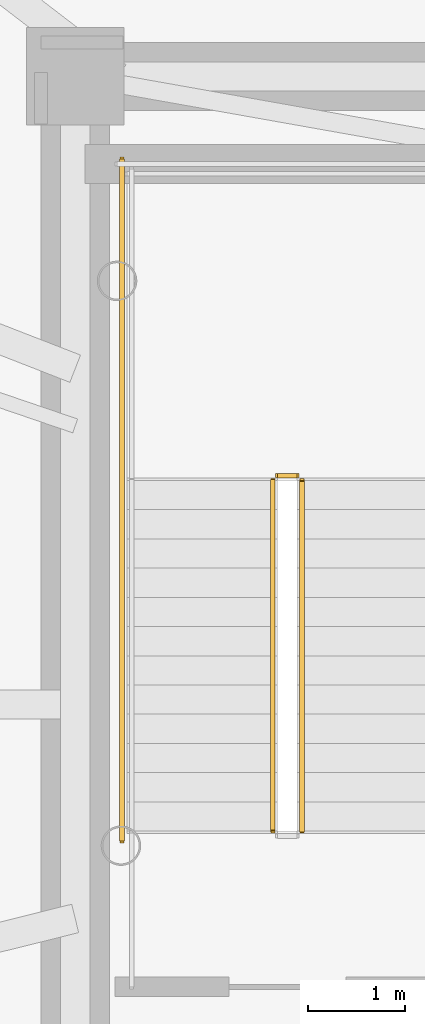
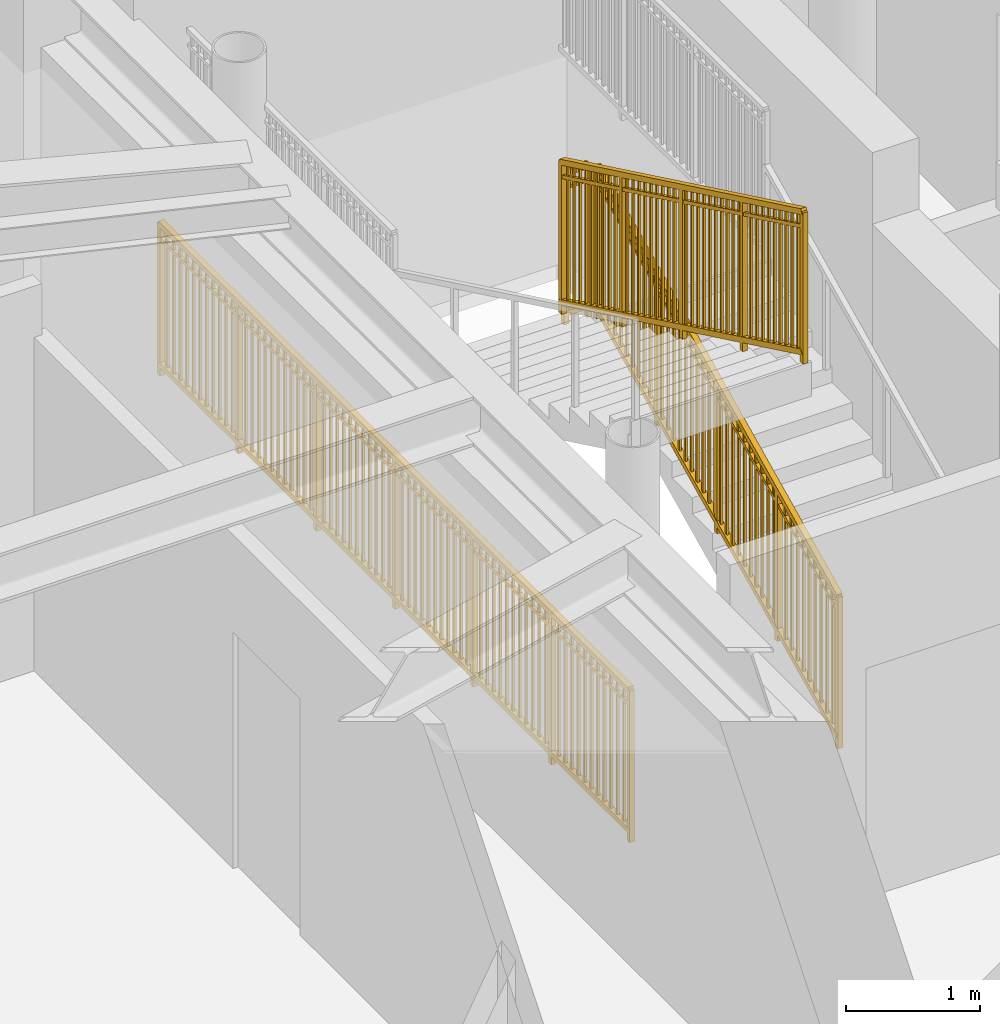
# One storey, part 14 of 18: 4 railings.
"""IFC4 building model written with IfcOpenShell, lengths in metres."""

from ifc_helpers import new_model, si_unit, direction, frame, origin, origin_2d, place, context, subcontext, project, spatial, rectangle, extrude, source, transform, mapped, material, type_object, element, save


model = new_model("IFC4")

# Units and contexts
model_context = context("Model", 3, precision=1e-05, world=origin(), true_north=direction((0.0, 1.0)))
body_context = subcontext(model_context, "Body", "Model", "MODEL_VIEW")
ifc_project = project(units=[si_unit("LENGTHUNIT", "METRE"), si_unit("AREAUNIT", "SQUARE_METRE"), si_unit("VOLUMEUNIT", "CUBIC_METRE"), si_unit("PLANEANGLEUNIT", "RADIAN"), si_unit("MASSUNIT", "GRAM", prefix="KILO")], contexts=[model_context])

# Site, building, storey
site_placement = place(None, origin())
site = spatial("IfcSite", under=ifc_project, at=site_placement, CompositionType="ELEMENT")
building_placement = place(site_placement, origin())
building = spatial("IfcBuilding", under=site, at=building_placement, Name="Linh Dai School and Residence Tower", CompositionType="ELEMENT")
storey_placement = place(building_placement, frame((0.0, 0.0, 291.75)))
storey = spatial("IfcBuildingStorey", under=building, at=storey_placement, Name="L72", CompositionType="ELEMENT", Elevation=291.75)

# Railings
ifc_material = material(Name="Structural Steel S355JR", Category="steel")
railing_type = type_object("IfcRailingType", Name="RL-ST-GUARD-1400", PredefinedType="GUARDRAIL", material=ifc_material)
shared_shape_1 = source(origin(), body_context, "Body", "SweptSolid", [
    extrude(rectangle(XDim=0.048095703125, YDim=0.048095703125, at=origin_2d()), frame((0.0, 0.0, 1.3759765625), z_axis=(-1.0, 0.0, 0.0), x_axis=(0.0, -1.0, 0.0)), (0.0, 0.0, 1.0), 0.199951171875),
    extrude(rectangle(XDim=0.048095703125, YDim=0.048095703125, at=origin_2d()), frame((0.0, 0.0, 0.10009765625), z_axis=(-1.0, 0.0, 0.0), x_axis=(0.0, -1.0, 0.0)), (0.0, 0.0, 1.0), 0.199951171875),
    extrude(rectangle(XDim=0.030029296875, YDim=0.030029296875, at=origin_2d()), frame((0.0, 0.0, 1.239990234375), z_axis=(-1.0, 0.0, 0.0), x_axis=(0.0, -1.0, 0.0)), (0.0, 0.0, 1.0), 0.199951171875),
    extrude(rectangle(XDim=0.0419921875, YDim=0.0419921875, at=origin_2d()), origin(), (0.0, 0.0, 1.0), 1.3759765625),
    extrude(rectangle(XDim=0.0419921875, YDim=0.0419921875, at=origin_2d()), frame((-0.199951171875, 0.0, 0.0)), (0.0, 0.0, 1.0), 1.3759765625),
])
railing_1_placement = place(storey_placement, frame((29.429931640625, 29.35009765625, 1.875)))
element("IfcRailing", 1, at=railing_1_placement, inside=storey, type_object=railing_type, Name="L72 ST1 stair guard 2", PredefinedType="GUARDRAIL", context=body_context, shape_type="MappedRepresentation", body=[
    mapped(shared_shape_1, transform((0.0, 0.0, 0.0), x_axis=(1.0, 0.0, 0.0), y_axis=(0.0, 1.0, 0.0), z_axis=(0.0, 0.0, 1.0), scale=1.0)),
])
shared_shape_2 = source(origin(), body_context, "Body", "SweptSolid", [
    extrude(rectangle(XDim=0.048095703125, YDim=0.048095703125, at=origin_2d()), frame((0.0, 0.0, 1.3759765625), z_axis=(0.0, 1.0, 0.0), x_axis=(-1.0, 0.0, 0.0)), (0.0, 0.0, 1.0), 7.0),
    extrude(rectangle(XDim=0.048095703125, YDim=0.048095703125, at=origin_2d()), frame((0.0, 0.0, 0.10009765625), z_axis=(0.0, 1.0, 0.0), x_axis=(-1.0, 0.0, 0.0)), (0.0, 0.0, 1.0), 7.0),
    extrude(rectangle(XDim=0.030029296875, YDim=0.030029296875, at=origin_2d()), frame((0.0, 0.0, 1.239990234375), z_axis=(0.0, 1.0, 0.0), x_axis=(-1.0, 0.0, 0.0)), (0.0, 0.0, 1.0), 7.0),
    extrude(rectangle(XDim=0.02001953125, YDim=0.02001953125, at=origin_2d()), frame((0.0, 0.09716796875, 0.10009765625)), (0.0, 0.0, 1.0), 1.251708984375),
    extrude(rectangle(XDim=0.02001953125, YDim=0.02001953125, at=origin_2d()), frame((0.0, 0.1943359375, 0.10009765625)), (0.0, 0.0, 1.0), 1.251708984375),
    extrude(rectangle(XDim=0.02001953125, YDim=0.02001953125, at=origin_2d()), frame((0.0, 0.291748046875, 0.10009765625)), (0.0, 0.0, 1.0), 1.251708984375),
    extrude(rectangle(XDim=0.02001953125, YDim=0.02001953125, at=origin_2d()), frame((0.0, 0.388916015625, 0.10009765625)), (0.0, 0.0, 1.0), 1.251708984375),
    extrude(rectangle(XDim=0.02001953125, YDim=0.02001953125, at=origin_2d()), frame((0.0, 0.486083984375, 0.10009765625)), (0.0, 0.0, 1.0), 1.251708984375),
    extrude(rectangle(XDim=0.02001953125, YDim=0.02001953125, at=origin_2d()), frame((0.0, 0.583251953125, 0.10009765625)), (0.0, 0.0, 1.0), 1.251708984375),
    extrude(rectangle(XDim=0.02001953125, YDim=0.02001953125, at=origin_2d()), frame((0.0, 0.6806640625, 0.10009765625)), (0.0, 0.0, 1.0), 1.251708984375),
    extrude(rectangle(XDim=0.02001953125, YDim=0.02001953125, at=origin_2d()), frame((0.0, 0.77783203125, 0.10009765625)), (0.0, 0.0, 1.0), 1.251708984375),
    extrude(rectangle(XDim=0.02001953125, YDim=0.02001953125, at=origin_2d()), frame((0.0, 0.875, 0.10009765625)), (0.0, 0.0, 1.0), 1.251708984375),
    extrude(rectangle(XDim=0.02001953125, YDim=0.02001953125, at=origin_2d()), frame((0.0, 0.97216796875, 0.10009765625)), (0.0, 0.0, 1.0), 1.251708984375),
    extrude(rectangle(XDim=0.02001953125, YDim=0.02001953125, at=origin_2d()), frame((0.0, 1.0693359375, 0.10009765625)), (0.0, 0.0, 1.0), 1.251708984375),
    extrude(rectangle(XDim=0.02001953125, YDim=0.02001953125, at=origin_2d()), frame((0.0, 1.263916015625, 0.10009765625)), (0.0, 0.0, 1.0), 1.251708984375),
    extrude(rectangle(XDim=0.02001953125, YDim=0.02001953125, at=origin_2d()), frame((0.0, 1.361083984375, 0.10009765625)), (0.0, 0.0, 1.0), 1.251708984375),
    extrude(rectangle(XDim=0.02001953125, YDim=0.02001953125, at=origin_2d()), frame((0.0, 1.458251953125, 0.10009765625)), (0.0, 0.0, 1.0), 1.251708984375),
    extrude(rectangle(XDim=0.02001953125, YDim=0.02001953125, at=origin_2d()), frame((0.0, 1.5556640625, 0.10009765625)), (0.0, 0.0, 1.0), 1.251708984375),
    extrude(rectangle(XDim=0.02001953125, YDim=0.02001953125, at=origin_2d()), frame((0.0, 1.65283203125, 0.10009765625)), (0.0, 0.0, 1.0), 1.251708984375),
    extrude(rectangle(XDim=0.02001953125, YDim=0.02001953125, at=origin_2d()), frame((0.0, 1.75, 0.10009765625)), (0.0, 0.0, 1.0), 1.251708984375),
    extrude(rectangle(XDim=0.02001953125, YDim=0.02001953125, at=origin_2d()), frame((0.0, 1.84716796875, 0.10009765625)), (0.0, 0.0, 1.0), 1.251708984375),
    extrude(rectangle(XDim=0.02001953125, YDim=0.02001953125, at=origin_2d()), frame((0.0, 1.9443359375, 0.10009765625)), (0.0, 0.0, 1.0), 1.251708984375),
    extrude(rectangle(XDim=0.02001953125, YDim=0.02001953125, at=origin_2d()), frame((0.0, 2.041748046875, 0.10009765625)), (0.0, 0.0, 1.0), 1.251708984375),
    extrude(rectangle(XDim=0.02001953125, YDim=0.02001953125, at=origin_2d()), frame((0.0, 2.138916015625, 0.10009765625)), (0.0, 0.0, 1.0), 1.251708984375),
    extrude(rectangle(XDim=0.02001953125, YDim=0.02001953125, at=origin_2d()), frame((0.0, 2.236083984375, 0.10009765625)), (0.0, 0.0, 1.0), 1.251708984375),
    extrude(rectangle(XDim=0.02001953125, YDim=0.02001953125, at=origin_2d()), frame((0.0, 2.4306640625, 0.10009765625)), (0.0, 0.0, 1.0), 1.251708984375),
    extrude(rectangle(XDim=0.02001953125, YDim=0.02001953125, at=origin_2d()), frame((0.0, 2.52783203125, 0.10009765625)), (0.0, 0.0, 1.0), 1.251708984375),
    extrude(rectangle(XDim=0.02001953125, YDim=0.02001953125, at=origin_2d()), frame((0.0, 2.625, 0.10009765625)), (0.0, 0.0, 1.0), 1.251708984375),
    extrude(rectangle(XDim=0.02001953125, YDim=0.02001953125, at=origin_2d()), frame((0.0, 2.72216796875, 0.10009765625)), (0.0, 0.0, 1.0), 1.251708984375),
    extrude(rectangle(XDim=0.02001953125, YDim=0.02001953125, at=origin_2d()), frame((0.0, 2.8193359375, 0.10009765625)), (0.0, 0.0, 1.0), 1.251708984375),
    extrude(rectangle(XDim=0.02001953125, YDim=0.02001953125, at=origin_2d()), frame((0.0, 2.916748046875, 0.10009765625)), (0.0, 0.0, 1.0), 1.251708984375),
    extrude(rectangle(XDim=0.02001953125, YDim=0.02001953125, at=origin_2d()), frame((0.0, 3.013916015625, 0.10009765625)), (0.0, 0.0, 1.0), 1.251708984375),
    extrude(rectangle(XDim=0.02001953125, YDim=0.02001953125, at=origin_2d()), frame((0.0, 3.111083984375, 0.10009765625)), (0.0, 0.0, 1.0), 1.251708984375),
    extrude(rectangle(XDim=0.02001953125, YDim=0.02001953125, at=origin_2d()), frame((0.0, 3.208251953125, 0.10009765625)), (0.0, 0.0, 1.0), 1.251708984375),
    extrude(rectangle(XDim=0.02001953125, YDim=0.02001953125, at=origin_2d()), frame((0.0, 3.3056640625, 0.10009765625)), (0.0, 0.0, 1.0), 1.251708984375),
    extrude(rectangle(XDim=0.02001953125, YDim=0.02001953125, at=origin_2d()), frame((0.0, 3.40283203125, 0.10009765625)), (0.0, 0.0, 1.0), 1.251708984375),
    extrude(rectangle(XDim=0.02001953125, YDim=0.02001953125, at=origin_2d()), frame((0.0, 3.59716796875, 0.10009765625)), (0.0, 0.0, 1.0), 1.251708984375),
    extrude(rectangle(XDim=0.02001953125, YDim=0.02001953125, at=origin_2d()), frame((0.0, 3.6943359375, 0.10009765625)), (0.0, 0.0, 1.0), 1.251708984375),
    extrude(rectangle(XDim=0.02001953125, YDim=0.02001953125, at=origin_2d()), frame((0.0, 3.791748046875, 0.10009765625)), (0.0, 0.0, 1.0), 1.251708984375),
    extrude(rectangle(XDim=0.02001953125, YDim=0.02001953125, at=origin_2d()), frame((0.0, 3.888916015625, 0.10009765625)), (0.0, 0.0, 1.0), 1.251708984375),
    extrude(rectangle(XDim=0.02001953125, YDim=0.02001953125, at=origin_2d()), frame((0.0, 3.986083984375, 0.10009765625)), (0.0, 0.0, 1.0), 1.251708984375),
    extrude(rectangle(XDim=0.02001953125, YDim=0.02001953125, at=origin_2d()), frame((0.0, 4.083251953125, 0.10009765625)), (0.0, 0.0, 1.0), 1.251708984375),
    extrude(rectangle(XDim=0.02001953125, YDim=0.02001953125, at=origin_2d()), frame((0.0, 4.1806640625, 0.10009765625)), (0.0, 0.0, 1.0), 1.251708984375),
    extrude(rectangle(XDim=0.02001953125, YDim=0.02001953125, at=origin_2d()), frame((0.0, 4.27783203125, 0.10009765625)), (0.0, 0.0, 1.0), 1.251708984375),
    extrude(rectangle(XDim=0.02001953125, YDim=0.02001953125, at=origin_2d()), frame((0.0, 4.375, 0.10009765625)), (0.0, 0.0, 1.0), 1.251708984375),
    extrude(rectangle(XDim=0.02001953125, YDim=0.02001953125, at=origin_2d()), frame((0.0, 4.47216796875, 0.10009765625)), (0.0, 0.0, 1.0), 1.251708984375),
    extrude(rectangle(XDim=0.02001953125, YDim=0.02001953125, at=origin_2d()), frame((0.0, 4.5693359375, 0.10009765625)), (0.0, 0.0, 1.0), 1.251708984375),
    extrude(rectangle(XDim=0.02001953125, YDim=0.02001953125, at=origin_2d()), frame((0.0, 4.763916015625, 0.10009765625)), (0.0, 0.0, 1.0), 1.251708984375),
    extrude(rectangle(XDim=0.02001953125, YDim=0.02001953125, at=origin_2d()), frame((0.0, 4.861083984375, 0.10009765625)), (0.0, 0.0, 1.0), 1.251708984375),
    extrude(rectangle(XDim=0.02001953125, YDim=0.02001953125, at=origin_2d()), frame((0.0, 4.958251953125, 0.10009765625)), (0.0, 0.0, 1.0), 1.251708984375),
    extrude(rectangle(XDim=0.02001953125, YDim=0.02001953125, at=origin_2d()), frame((0.0, 5.0556640625, 0.10009765625)), (0.0, 0.0, 1.0), 1.251708984375),
    extrude(rectangle(XDim=0.02001953125, YDim=0.02001953125, at=origin_2d()), frame((0.0, 5.15283203125, 0.10009765625)), (0.0, 0.0, 1.0), 1.251708984375),
    extrude(rectangle(XDim=0.02001953125, YDim=0.02001953125, at=origin_2d()), frame((0.0, 5.25, 0.10009765625)), (0.0, 0.0, 1.0), 1.251708984375),
    extrude(rectangle(XDim=0.02001953125, YDim=0.02001953125, at=origin_2d()), frame((0.0, 5.34716796875, 0.10009765625)), (0.0, 0.0, 1.0), 1.251708984375),
    extrude(rectangle(XDim=0.02001953125, YDim=0.02001953125, at=origin_2d()), frame((0.0, 5.4443359375, 0.10009765625)), (0.0, 0.0, 1.0), 1.251708984375),
    extrude(rectangle(XDim=0.02001953125, YDim=0.02001953125, at=origin_2d()), frame((0.0, 5.541748046875, 0.10009765625)), (0.0, 0.0, 1.0), 1.251708984375),
    extrude(rectangle(XDim=0.02001953125, YDim=0.02001953125, at=origin_2d()), frame((0.0, 5.638916015625, 0.10009765625)), (0.0, 0.0, 1.0), 1.251708984375),
    extrude(rectangle(XDim=0.02001953125, YDim=0.02001953125, at=origin_2d()), frame((0.0, 5.736083984375, 0.10009765625)), (0.0, 0.0, 1.0), 1.251708984375),
    extrude(rectangle(XDim=0.02001953125, YDim=0.02001953125, at=origin_2d()), frame((0.0, 5.9306640625, 0.10009765625)), (0.0, 0.0, 1.0), 1.251708984375),
    extrude(rectangle(XDim=0.02001953125, YDim=0.02001953125, at=origin_2d()), frame((0.0, 6.02783203125, 0.10009765625)), (0.0, 0.0, 1.0), 1.251708984375),
    extrude(rectangle(XDim=0.02001953125, YDim=0.02001953125, at=origin_2d()), frame((0.0, 6.125, 0.10009765625)), (0.0, 0.0, 1.0), 1.251708984375),
    extrude(rectangle(XDim=0.02001953125, YDim=0.02001953125, at=origin_2d()), frame((0.0, 6.22216796875, 0.10009765625)), (0.0, 0.0, 1.0), 1.251708984375),
    extrude(rectangle(XDim=0.02001953125, YDim=0.02001953125, at=origin_2d()), frame((0.0, 6.3193359375, 0.10009765625)), (0.0, 0.0, 1.0), 1.251708984375),
    extrude(rectangle(XDim=0.02001953125, YDim=0.02001953125, at=origin_2d()), frame((0.0, 6.416748046875, 0.10009765625)), (0.0, 0.0, 1.0), 1.251708984375),
    extrude(rectangle(XDim=0.02001953125, YDim=0.02001953125, at=origin_2d()), frame((0.0, 6.513916015625, 0.10009765625)), (0.0, 0.0, 1.0), 1.251708984375),
    extrude(rectangle(XDim=0.02001953125, YDim=0.02001953125, at=origin_2d()), frame((0.0, 6.611083984375, 0.10009765625)), (0.0, 0.0, 1.0), 1.251708984375),
    extrude(rectangle(XDim=0.02001953125, YDim=0.02001953125, at=origin_2d()), frame((0.0, 6.708251953125, 0.10009765625)), (0.0, 0.0, 1.0), 1.251708984375),
    extrude(rectangle(XDim=0.02001953125, YDim=0.02001953125, at=origin_2d()), frame((0.0, 6.8056640625, 0.10009765625)), (0.0, 0.0, 1.0), 1.251708984375),
    extrude(rectangle(XDim=0.02001953125, YDim=0.02001953125, at=origin_2d()), frame((0.0, 6.90283203125, 0.10009765625)), (0.0, 0.0, 1.0), 1.251708984375),
    extrude(rectangle(XDim=0.0419921875, YDim=0.0419921875, at=origin_2d()), origin(), (0.0, 0.0, 1.0), 1.3759765625),
    extrude(rectangle(XDim=0.0419921875, YDim=0.0419921875, at=origin_2d()), frame((0.0, 1.166748046875, 0.0)), (0.0, 0.0, 1.0), 1.3759765625),
    extrude(rectangle(XDim=0.0419921875, YDim=0.0419921875, at=origin_2d()), frame((0.0, 2.333251953125, 0.0)), (0.0, 0.0, 1.0), 1.3759765625),
    extrude(rectangle(XDim=0.0419921875, YDim=0.0419921875, at=origin_2d()), frame((0.0, 3.5, 0.0)), (0.0, 0.0, 1.0), 1.3759765625),
    extrude(rectangle(XDim=0.0419921875, YDim=0.0419921875, at=origin_2d()), frame((0.0, 4.666748046875, 0.0)), (0.0, 0.0, 1.0), 1.3759765625),
    extrude(rectangle(XDim=0.0419921875, YDim=0.0419921875, at=origin_2d()), frame((0.0, 5.833251953125, 0.0)), (0.0, 0.0, 1.0), 1.3759765625),
    extrude(rectangle(XDim=0.0419921875, YDim=0.0419921875, at=origin_2d()), frame((0.0, 7.0, 0.0)), (0.0, 0.0, 1.0), 1.3759765625),
])
railing_2_placement = place(storey_placement, frame((27.6298828125, 25.60009765625, 0.0)))
element("IfcRailing", 2, at=railing_2_placement, inside=storey, type_object=railing_type, Name="L72 ST1 stair guard 11", PredefinedType="GUARDRAIL", context=body_context, shape_type="MappedRepresentation", body=[
    mapped(shared_shape_2, transform((0.0, 0.0, 0.0), x_axis=(1.0, 0.0, 0.0), y_axis=(0.0, 1.0, 0.0), z_axis=(0.0, 0.0, 1.0), scale=1.0)),
])
shared_shape_3 = source(origin(), body_context, "Body", "SweptSolid", [
    extrude(rectangle(XDim=0.048095703125, YDim=0.048095703125, at=origin_2d()), frame((0.0, 0.0, 1.3759765625), z_axis=(0.0, 0.901262522062, 0.433273431364), x_axis=(-1.0, 0.0, 0.0)), (0.0, 0.0, 1.0), 3.994384765625),
    extrude(rectangle(XDim=0.048095703125, YDim=0.048095703125, at=origin_2d()), frame((0.0, 0.0, 0.10009765625), z_axis=(0.0, 0.901262522062, 0.433273431364), x_axis=(-1.0, 0.0, 0.0)), (0.0, 0.0, 1.0), 3.994384765625),
    extrude(rectangle(XDim=0.030029296875, YDim=0.030029296875, at=origin_2d()), frame((0.0, 0.0, 1.239990234375), z_axis=(0.0, 0.901262522062, 0.433273431364), x_axis=(-1.0, 0.0, 0.0)), (0.0, 0.0, 1.0), 3.994384765625),
    extrude(rectangle(XDim=0.02001953125, YDim=0.02001953125, at=origin_2d()), frame((0.0, 0.087890625, 0.142333984375)), (0.0, 0.0, 1.0), 1.251708984375),
    extrude(rectangle(XDim=0.02001953125, YDim=0.02001953125, at=origin_2d()), frame((0.0, 0.175537109375, 0.1845703125)), (0.0, 0.0, 1.0), 1.251708984375),
    extrude(rectangle(XDim=0.02001953125, YDim=0.02001953125, at=origin_2d()), frame((0.0, 0.263427734375, 0.226806640625)), (0.0, 0.0, 1.0), 1.251708984375),
    extrude(rectangle(XDim=0.02001953125, YDim=0.02001953125, at=origin_2d()), frame((0.0, 0.351318359375, 0.26904296875)), (0.0, 0.0, 1.0), 1.251708984375),
    extrude(rectangle(XDim=0.02001953125, YDim=0.02001953125, at=origin_2d()), frame((0.0, 0.43896484375, 0.311279296875)), (0.0, 0.0, 1.0), 1.251708984375),
    extrude(rectangle(XDim=0.02001953125, YDim=0.02001953125, at=origin_2d()), frame((0.0, 0.52685546875, 0.353271484375)), (0.0, 0.0, 1.0), 1.251708984375),
    extrude(rectangle(XDim=0.02001953125, YDim=0.02001953125, at=origin_2d()), frame((0.0, 0.61474609375, 0.3955078125)), (0.0, 0.0, 1.0), 1.251708984375),
    extrude(rectangle(XDim=0.02001953125, YDim=0.02001953125, at=origin_2d()), frame((0.0, 0.702392578125, 0.437744140625)), (0.0, 0.0, 1.0), 1.251708984375),
    extrude(rectangle(XDim=0.02001953125, YDim=0.02001953125, at=origin_2d()), frame((0.0, 0.790283203125, 0.47998046875)), (0.0, 0.0, 1.0), 1.251708984375),
    extrude(rectangle(XDim=0.02001953125, YDim=0.02001953125, at=origin_2d()), frame((0.0, 0.9658203125, 0.564453125)), (0.0, 0.0, 1.0), 1.251708984375),
    extrude(rectangle(XDim=0.02001953125, YDim=0.02001953125, at=origin_2d()), frame((0.0, 1.0537109375, 0.606689453125)), (0.0, 0.0, 1.0), 1.251708984375),
    extrude(rectangle(XDim=0.02001953125, YDim=0.02001953125, at=origin_2d()), frame((0.0, 1.1416015625, 0.64892578125)), (0.0, 0.0, 1.0), 1.251708984375),
    extrude(rectangle(XDim=0.02001953125, YDim=0.02001953125, at=origin_2d()), frame((0.0, 1.229248046875, 0.691162109375)), (0.0, 0.0, 1.0), 1.251708984375),
    extrude(rectangle(XDim=0.02001953125, YDim=0.02001953125, at=origin_2d()), frame((0.0, 1.317138671875, 0.7333984375)), (0.0, 0.0, 1.0), 1.251708984375),
    extrude(rectangle(XDim=0.02001953125, YDim=0.02001953125, at=origin_2d()), frame((0.0, 1.405029296875, 0.775390625)), (0.0, 0.0, 1.0), 1.251708984375),
    extrude(rectangle(XDim=0.02001953125, YDim=0.02001953125, at=origin_2d()), frame((0.0, 1.49267578125, 0.817626953125)), (0.0, 0.0, 1.0), 1.251708984375),
    extrude(rectangle(XDim=0.02001953125, YDim=0.02001953125, at=origin_2d()), frame((0.0, 1.58056640625, 0.85986328125)), (0.0, 0.0, 1.0), 1.251708984375),
    extrude(rectangle(XDim=0.02001953125, YDim=0.02001953125, at=origin_2d()), frame((0.0, 1.66845703125, 0.902099609375)), (0.0, 0.0, 1.0), 1.251708984375),
    extrude(rectangle(XDim=0.02001953125, YDim=0.02001953125, at=origin_2d()), frame((0.0, 1.756103515625, 0.9443359375)), (0.0, 0.0, 1.0), 1.251708984375),
    extrude(rectangle(XDim=0.02001953125, YDim=0.02001953125, at=origin_2d()), frame((0.0, 1.843994140625, 0.986572265625)), (0.0, 0.0, 1.0), 1.251708984375),
    extrude(rectangle(XDim=0.02001953125, YDim=0.02001953125, at=origin_2d()), frame((0.0, 1.931640625, 1.02880859375)), (0.0, 0.0, 1.0), 1.251708984375),
    extrude(rectangle(XDim=0.02001953125, YDim=0.02001953125, at=origin_2d()), frame((0.0, 2.01953125, 1.071044921875)), (0.0, 0.0, 1.0), 1.251708984375),
    extrude(rectangle(XDim=0.02001953125, YDim=0.02001953125, at=origin_2d()), frame((0.0, 2.107421875, 1.11328125)), (0.0, 0.0, 1.0), 1.251708984375),
    extrude(rectangle(XDim=0.02001953125, YDim=0.02001953125, at=origin_2d()), frame((0.0, 2.195068359375, 1.155517578125)), (0.0, 0.0, 1.0), 1.251708984375),
    extrude(rectangle(XDim=0.02001953125, YDim=0.02001953125, at=origin_2d()), frame((0.0, 2.282958984375, 1.197509765625)), (0.0, 0.0, 1.0), 1.251708984375),
    extrude(rectangle(XDim=0.02001953125, YDim=0.02001953125, at=origin_2d()), frame((0.0, 2.370849609375, 1.23974609375)), (0.0, 0.0, 1.0), 1.251708984375),
    extrude(rectangle(XDim=0.02001953125, YDim=0.02001953125, at=origin_2d()), frame((0.0, 2.45849609375, 1.281982421875)), (0.0, 0.0, 1.0), 1.251708984375),
    extrude(rectangle(XDim=0.02001953125, YDim=0.02001953125, at=origin_2d()), frame((0.0, 2.54638671875, 1.32421875)), (0.0, 0.0, 1.0), 1.251708984375),
    extrude(rectangle(XDim=0.02001953125, YDim=0.02001953125, at=origin_2d()), frame((0.0, 2.63427734375, 1.366455078125)), (0.0, 0.0, 1.0), 1.251708984375),
    extrude(rectangle(XDim=0.02001953125, YDim=0.02001953125, at=origin_2d()), frame((0.0, 2.809814453125, 1.450927734375)), (0.0, 0.0, 1.0), 1.251708984375),
    extrude(rectangle(XDim=0.02001953125, YDim=0.02001953125, at=origin_2d()), frame((0.0, 2.897705078125, 1.4931640625)), (0.0, 0.0, 1.0), 1.251708984375),
    extrude(rectangle(XDim=0.02001953125, YDim=0.02001953125, at=origin_2d()), frame((0.0, 2.9853515625, 1.535400390625)), (0.0, 0.0, 1.0), 1.251708984375),
    extrude(rectangle(XDim=0.02001953125, YDim=0.02001953125, at=origin_2d()), frame((0.0, 3.0732421875, 1.57763671875)), (0.0, 0.0, 1.0), 1.251708984375),
    extrude(rectangle(XDim=0.02001953125, YDim=0.02001953125, at=origin_2d()), frame((0.0, 3.1611328125, 1.61962890625)), (0.0, 0.0, 1.0), 1.251708984375),
    extrude(rectangle(XDim=0.02001953125, YDim=0.02001953125, at=origin_2d()), frame((0.0, 3.248779296875, 1.661865234375)), (0.0, 0.0, 1.0), 1.251708984375),
    extrude(rectangle(XDim=0.02001953125, YDim=0.02001953125, at=origin_2d()), frame((0.0, 3.336669921875, 1.7041015625)), (0.0, 0.0, 1.0), 1.251708984375),
    extrude(rectangle(XDim=0.02001953125, YDim=0.02001953125, at=origin_2d()), frame((0.0, 3.424560546875, 1.746337890625)), (0.0, 0.0, 1.0), 1.251708984375),
    extrude(rectangle(XDim=0.02001953125, YDim=0.02001953125, at=origin_2d()), frame((0.0, 3.51220703125, 1.78857421875)), (0.0, 0.0, 1.0), 1.251708984375),
    extrude(rectangle(XDim=0.0419921875, YDim=0.0419921875, at=origin_2d()), origin(), (0.0, 0.0, 1.0), 1.3759765625),
    extrude(rectangle(XDim=0.0419921875, YDim=0.0419921875, at=origin_2d()), frame((0.0, 0.89990234375, 0.4326171875)), (0.0, 0.0, 1.0), 1.3759765625),
    extrude(rectangle(XDim=0.0419921875, YDim=0.0419921875, at=origin_2d()), frame((0.0, 1.800048828125, 0.865234375)), (0.0, 0.0, 1.0), 1.3759765625),
    extrude(rectangle(XDim=0.0419921875, YDim=0.0419921875, at=origin_2d()), frame((0.0, 2.7001953125, 1.298095703125)), (0.0, 0.0, 1.0), 1.3759765625),
    extrude(rectangle(XDim=0.0419921875, YDim=0.0419921875, at=origin_2d()), frame((0.0, 3.60009765625, 1.730712890625)), (0.0, 0.0, 1.0), 1.3759765625),
])
railing_3_placement = place(storey_placement, frame((29.47998046875, 25.699951171875, 0.144287109375)))
element("IfcRailing", 3, at=railing_3_placement, inside=storey, type_object=railing_type, Name="L72 ST1 stair guard 1", PredefinedType="GUARDRAIL", context=body_context, shape_type="MappedRepresentation", body=[
    mapped(shared_shape_3, transform((0.0, 0.0, 0.0), x_axis=(1.0, 0.0, 0.0), y_axis=(0.0, 1.0, 0.0), z_axis=(0.0, 0.0, 1.0), scale=1.0)),
])
shared_shape_4 = source(origin(), body_context, "Body", "SweptSolid", [
    extrude(rectangle(XDim=0.048095703125, YDim=0.048095703125, at=origin_2d()), frame((0.0, 0.0, 1.3759765625), z_axis=(0.0, -0.901262522062, 0.433273431364), x_axis=(1.0, 0.0, 0.0)), (0.0, 0.0, 1.0), 3.994384765625),
    extrude(rectangle(XDim=0.048095703125, YDim=0.048095703125, at=origin_2d()), frame((0.0, 0.0, 0.10009765625), z_axis=(0.0, -0.901262522062, 0.433273431364), x_axis=(1.0, 0.0, 0.0)), (0.0, 0.0, 1.0), 3.994384765625),
    extrude(rectangle(XDim=0.030029296875, YDim=0.030029296875, at=origin_2d()), frame((0.0, 0.0, 1.239990234375), z_axis=(0.0, -0.901262522062, 0.433273431364), x_axis=(1.0, 0.0, 0.0)), (0.0, 0.0, 1.0), 3.994384765625),
    extrude(rectangle(XDim=0.02001953125, YDim=0.02001953125, at=origin_2d()), frame((0.0, -0.087890625, 0.142333984375)), (0.0, 0.0, 1.0), 1.251708984375),
    extrude(rectangle(XDim=0.02001953125, YDim=0.02001953125, at=origin_2d()), frame((0.0, -0.175537109375, 0.1845703125)), (0.0, 0.0, 1.0), 1.251708984375),
    extrude(rectangle(XDim=0.02001953125, YDim=0.02001953125, at=origin_2d()), frame((0.0, -0.263427734375, 0.226806640625)), (0.0, 0.0, 1.0), 1.251708984375),
    extrude(rectangle(XDim=0.02001953125, YDim=0.02001953125, at=origin_2d()), frame((0.0, -0.351318359375, 0.26904296875)), (0.0, 0.0, 1.0), 1.251708984375),
    extrude(rectangle(XDim=0.02001953125, YDim=0.02001953125, at=origin_2d()), frame((0.0, -0.43896484375, 0.311279296875)), (0.0, 0.0, 1.0), 1.251708984375),
    extrude(rectangle(XDim=0.02001953125, YDim=0.02001953125, at=origin_2d()), frame((0.0, -0.52685546875, 0.353271484375)), (0.0, 0.0, 1.0), 1.251708984375),
    extrude(rectangle(XDim=0.02001953125, YDim=0.02001953125, at=origin_2d()), frame((0.0, -0.61474609375, 0.3955078125)), (0.0, 0.0, 1.0), 1.251708984375),
    extrude(rectangle(XDim=0.02001953125, YDim=0.02001953125, at=origin_2d()), frame((0.0, -0.702392578125, 0.437744140625)), (0.0, 0.0, 1.0), 1.251708984375),
    extrude(rectangle(XDim=0.02001953125, YDim=0.02001953125, at=origin_2d()), frame((0.0, -0.790283203125, 0.47998046875)), (0.0, 0.0, 1.0), 1.251708984375),
    extrude(rectangle(XDim=0.02001953125, YDim=0.02001953125, at=origin_2d()), frame((0.0, -0.9658203125, 0.564453125)), (0.0, 0.0, 1.0), 1.251708984375),
    extrude(rectangle(XDim=0.02001953125, YDim=0.02001953125, at=origin_2d()), frame((0.0, -1.0537109375, 0.606689453125)), (0.0, 0.0, 1.0), 1.251708984375),
    extrude(rectangle(XDim=0.02001953125, YDim=0.02001953125, at=origin_2d()), frame((0.0, -1.1416015625, 0.64892578125)), (0.0, 0.0, 1.0), 1.251708984375),
    extrude(rectangle(XDim=0.02001953125, YDim=0.02001953125, at=origin_2d()), frame((0.0, -1.229248046875, 0.691162109375)), (0.0, 0.0, 1.0), 1.251708984375),
    extrude(rectangle(XDim=0.02001953125, YDim=0.02001953125, at=origin_2d()), frame((0.0, -1.317138671875, 0.7333984375)), (0.0, 0.0, 1.0), 1.251708984375),
    extrude(rectangle(XDim=0.02001953125, YDim=0.02001953125, at=origin_2d()), frame((0.0, -1.405029296875, 0.775390625)), (0.0, 0.0, 1.0), 1.251708984375),
    extrude(rectangle(XDim=0.02001953125, YDim=0.02001953125, at=origin_2d()), frame((0.0, -1.49267578125, 0.817626953125)), (0.0, 0.0, 1.0), 1.251708984375),
    extrude(rectangle(XDim=0.02001953125, YDim=0.02001953125, at=origin_2d()), frame((0.0, -1.58056640625, 0.85986328125)), (0.0, 0.0, 1.0), 1.251708984375),
    extrude(rectangle(XDim=0.02001953125, YDim=0.02001953125, at=origin_2d()), frame((0.0, -1.66845703125, 0.902099609375)), (0.0, 0.0, 1.0), 1.251708984375),
    extrude(rectangle(XDim=0.02001953125, YDim=0.02001953125, at=origin_2d()), frame((0.0, -1.756103515625, 0.9443359375)), (0.0, 0.0, 1.0), 1.251708984375),
    extrude(rectangle(XDim=0.02001953125, YDim=0.02001953125, at=origin_2d()), frame((0.0, -1.843994140625, 0.986572265625)), (0.0, 0.0, 1.0), 1.251708984375),
    extrude(rectangle(XDim=0.02001953125, YDim=0.02001953125, at=origin_2d()), frame((0.0, -1.931640625, 1.02880859375)), (0.0, 0.0, 1.0), 1.251708984375),
    extrude(rectangle(XDim=0.02001953125, YDim=0.02001953125, at=origin_2d()), frame((0.0, -2.01953125, 1.071044921875)), (0.0, 0.0, 1.0), 1.251708984375),
    extrude(rectangle(XDim=0.02001953125, YDim=0.02001953125, at=origin_2d()), frame((0.0, -2.107421875, 1.11328125)), (0.0, 0.0, 1.0), 1.251708984375),
    extrude(rectangle(XDim=0.02001953125, YDim=0.02001953125, at=origin_2d()), frame((0.0, -2.195068359375, 1.155517578125)), (0.0, 0.0, 1.0), 1.251708984375),
    extrude(rectangle(XDim=0.02001953125, YDim=0.02001953125, at=origin_2d()), frame((0.0, -2.282958984375, 1.197509765625)), (0.0, 0.0, 1.0), 1.251708984375),
    extrude(rectangle(XDim=0.02001953125, YDim=0.02001953125, at=origin_2d()), frame((0.0, -2.370849609375, 1.23974609375)), (0.0, 0.0, 1.0), 1.251708984375),
    extrude(rectangle(XDim=0.02001953125, YDim=0.02001953125, at=origin_2d()), frame((0.0, -2.45849609375, 1.281982421875)), (0.0, 0.0, 1.0), 1.251708984375),
    extrude(rectangle(XDim=0.02001953125, YDim=0.02001953125, at=origin_2d()), frame((0.0, -2.54638671875, 1.32421875)), (0.0, 0.0, 1.0), 1.251708984375),
    extrude(rectangle(XDim=0.02001953125, YDim=0.02001953125, at=origin_2d()), frame((0.0, -2.63427734375, 1.366455078125)), (0.0, 0.0, 1.0), 1.251708984375),
    extrude(rectangle(XDim=0.02001953125, YDim=0.02001953125, at=origin_2d()), frame((0.0, -2.809814453125, 1.450927734375)), (0.0, 0.0, 1.0), 1.251708984375),
    extrude(rectangle(XDim=0.02001953125, YDim=0.02001953125, at=origin_2d()), frame((0.0, -2.897705078125, 1.4931640625)), (0.0, 0.0, 1.0), 1.251708984375),
    extrude(rectangle(XDim=0.02001953125, YDim=0.02001953125, at=origin_2d()), frame((0.0, -2.9853515625, 1.535400390625)), (0.0, 0.0, 1.0), 1.251708984375),
    extrude(rectangle(XDim=0.02001953125, YDim=0.02001953125, at=origin_2d()), frame((0.0, -3.0732421875, 1.57763671875)), (0.0, 0.0, 1.0), 1.251708984375),
    extrude(rectangle(XDim=0.02001953125, YDim=0.02001953125, at=origin_2d()), frame((0.0, -3.1611328125, 1.61962890625)), (0.0, 0.0, 1.0), 1.251708984375),
    extrude(rectangle(XDim=0.02001953125, YDim=0.02001953125, at=origin_2d()), frame((0.0, -3.248779296875, 1.661865234375)), (0.0, 0.0, 1.0), 1.251708984375),
    extrude(rectangle(XDim=0.02001953125, YDim=0.02001953125, at=origin_2d()), frame((0.0, -3.336669921875, 1.7041015625)), (0.0, 0.0, 1.0), 1.251708984375),
    extrude(rectangle(XDim=0.02001953125, YDim=0.02001953125, at=origin_2d()), frame((0.0, -3.424560546875, 1.746337890625)), (0.0, 0.0, 1.0), 1.251708984375),
    extrude(rectangle(XDim=0.02001953125, YDim=0.02001953125, at=origin_2d()), frame((0.0, -3.51220703125, 1.78857421875)), (0.0, 0.0, 1.0), 1.251708984375),
    extrude(rectangle(XDim=0.0419921875, YDim=0.0419921875, at=origin_2d()), origin(), (0.0, 0.0, 1.0), 1.3759765625),
    extrude(rectangle(XDim=0.0419921875, YDim=0.0419921875, at=origin_2d()), frame((0.0, -0.89990234375, 0.4326171875)), (0.0, 0.0, 1.0), 1.3759765625),
    extrude(rectangle(XDim=0.0419921875, YDim=0.0419921875, at=origin_2d()), frame((0.0, -1.800048828125, 0.865234375)), (0.0, 0.0, 1.0), 1.3759765625),
    extrude(rectangle(XDim=0.0419921875, YDim=0.0419921875, at=origin_2d()), frame((0.0, -2.7001953125, 1.298095703125)), (0.0, 0.0, 1.0), 1.3759765625),
    extrude(rectangle(XDim=0.0419921875, YDim=0.0419921875, at=origin_2d()), frame((0.0, -3.60009765625, 1.730712890625)), (0.0, 0.0, 1.0), 1.3759765625),
])
railing_4_placement = place(storey_placement, frame((29.179931640625, 29.300048828125, 2.019287109375)))
element("IfcRailing", 4, at=railing_4_placement, inside=storey, type_object=railing_type, Name="L72 ST1 stair guard 6", PredefinedType="GUARDRAIL", context=body_context, shape_type="MappedRepresentation", body=[
    mapped(shared_shape_4, transform((0.0, 0.0, 0.0), x_axis=(1.0, 0.0, 0.0), y_axis=(0.0, 1.0, 0.0), z_axis=(0.0, 0.0, 1.0), scale=1.0)),
])

save(model, "model.ifc")
